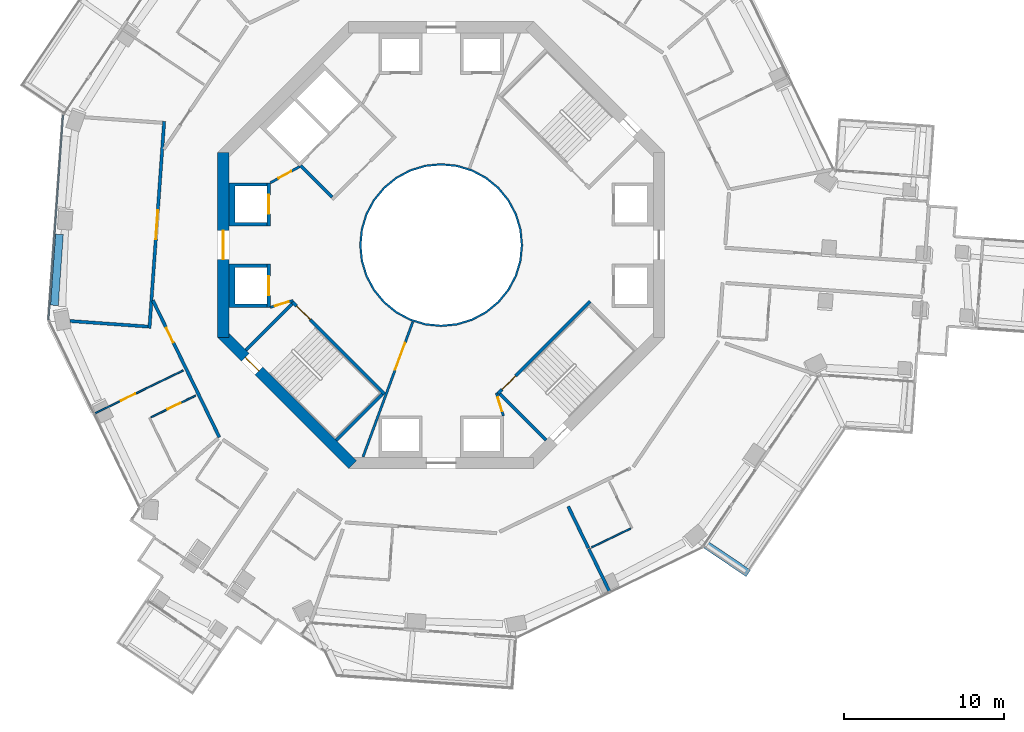
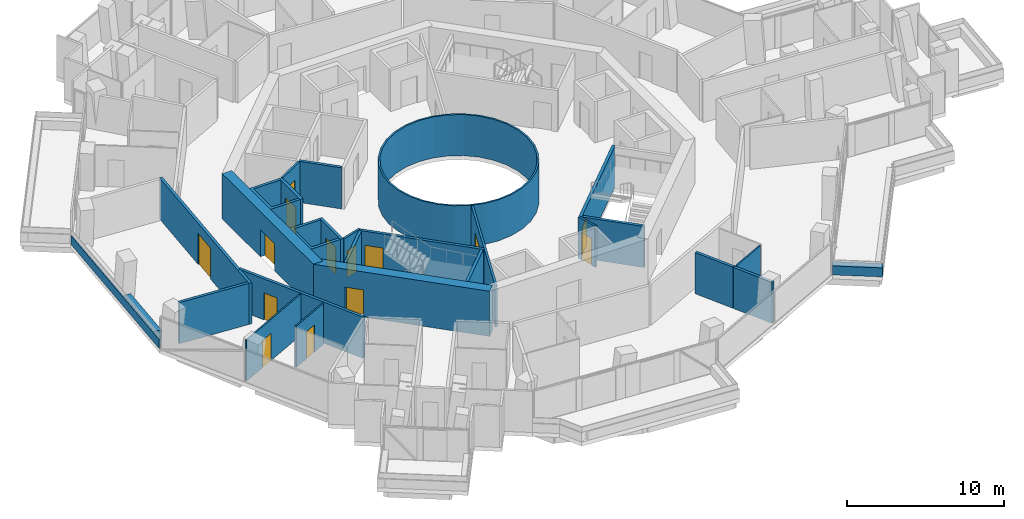
# One storey, part 15 of 22: 28 walls, 14 doors, 14 openings.
"""IFC4 building model written with IfcOpenShell, lengths in metres."""

from ifc_helpers import new_model, si_unit, direction, frame, frame_2d, origin, place, context, subcontext, project, spatial, polyline, rectangle, outline, extrude, material, layer, layer_set, type_object, element, fill, save


model = new_model("IFC4")

# Units and contexts
model_context = context("Model", 3, precision=1e-05, world=origin(), true_north=direction((0.0, 1.0)))
body_context = subcontext(model_context, "Body", "Model", "MODEL_VIEW")
ifc_project = project(units=[si_unit("LENGTHUNIT", "METRE"), si_unit("AREAUNIT", "SQUARE_METRE"), si_unit("VOLUMEUNIT", "CUBIC_METRE"), si_unit("PLANEANGLEUNIT", "RADIAN"), si_unit("MASSUNIT", "GRAM", prefix="KILO")], contexts=[model_context])

# Site, building, storey
site_placement = place(None, origin())
site = spatial("IfcSite", under=ifc_project, at=site_placement, CompositionType="ELEMENT")
building_placement = place(site_placement, origin())
building = spatial("IfcBuilding", under=site, at=building_placement, Name="Verdalira Terraces Hotel", CompositionType="ELEMENT")
storey_placement = place(building_placement, frame((0.0, 0.0, 140.0)))
storey = spatial("IfcBuildingStorey", under=building, at=storey_placement, Name="L33", CompositionType="ELEMENT", Elevation=140.0)

# Walls
ifc_material_1 = material(Name="Fire-resisting glass EI 180", Category="glass")
ifc_layer_1 = layer(ifc_material_1, 0.1201171875)
ifc_layer_set_1 = layer_set([ifc_layer_1], Name="Atrium fire screen 120 mm")
wall_type_1 = type_object("IfcWallType", Name="Atrium fire screen 120 mm", PredefinedType="SOLIDWALL", material=ifc_layer_set_1)
wall_1_placement = place(storey_placement, origin())
element("IfcWall", 1, at=wall_1_placement, inside=storey, type_object=wall_type_1, Name="Atrium fire screen", PredefinedType="SOLIDWALL", context=body_context, shape_type="SweptSolid", body=[
    extrude(outline(polyline([(5.021484, -0.998779), (4.730225, -1.959229), (4.25708, -2.844482), (3.620361, -3.620361), (2.844482, -4.25708), (1.959229, -4.730225), (0.998779, -5.021484), (0.0, -5.120117), (-0.998779, -5.021484), (-1.959229, -4.730225), (-2.844482, -4.25708), (-3.620361, -3.620361), (-4.25708, -2.844482), (-4.730225, -1.959229), (-5.021484, -0.998779), (-5.120117, 0.0), (-5.021484, 0.998779), (-4.730225, 1.959229), (-4.25708, 2.844482), (-3.620361, 3.620361), (-2.844482, 4.25708), (-1.959229, 4.730225), (-0.998779, 5.021484), (0.0, 5.120117), (0.998779, 5.021484), (1.959229, 4.730225), (2.844482, 4.25708), (3.620361, 3.620361), (4.25708, 2.844482), (4.730225, 1.959229), (5.021484, 0.998779), (5.120117, 0.0), (5.021484, -0.998779)]), holes=[polyline([(4.903809, 0.975586), (4.619385, 1.91333), (4.157227, 2.777832), (3.5354, 3.5354), (2.777832, 4.157227), (1.91333, 4.619385), (0.975586, 4.903809), (0.0, 5.0), (-0.975586, 4.903809), (-1.91333, 4.619385), (-2.777832, 4.157227), (-3.5354, 3.5354), (-4.157227, 2.777832), (-4.619385, 1.91333), (-4.903809, 0.975586), (-5.0, 0.0), (-4.903809, -0.975586), (-4.619385, -1.91333), (-4.157227, -2.777832), (-3.5354, -3.5354), (-2.777832, -4.157227), (-1.91333, -4.619385), (-0.975586, -4.903809), (0.0, -5.0), (0.975586, -4.903809), (1.91333, -4.619385), (2.777832, -4.157227), (3.5354, -3.5354), (4.157227, -2.777832), (4.619385, -1.91333), (4.903809, -0.975586), (5.0, 0.0), (4.903809, 0.975586)])]), origin(), (0.0, 0.0, 1.0), 3.189941),
])
ifc_material_2 = material(Name="Concrete C40", Category="concrete")
ifc_layer_2 = layer(ifc_material_2, 0.5)
ifc_layer_set_2 = layer_set([ifc_layer_2], Name="Balcony planter trough with tree")
wall_type_2 = type_object("IfcWallType", Name="Balcony planter trough with tree", PredefinedType="SOLIDWALL", material=ifc_layer_set_2)
wall_2_placement = place(storey_placement, frame((16.59082, -18.770264, 0.0), z_axis=(0.0, 0.0, 1.0), x_axis=(0.828214652, -0.560411001, 0.0)))
element("IfcWall", 2, at=wall_2_placement, inside=storey, type_object=wall_type_2, Name="Balcony planter", PredefinedType="SOLIDWALL", context=body_context, shape_type="SweptSolid", body=[
    extrude(rectangle(XDim=3.198975, YDim=0.5, at=frame_2d((1.599609, 0.0))), origin(), (0.0, 0.0, 1.0), 0.699951),
])

# Wall, opening, door
ifc_material_3 = material(Name="Moisture-resistant gypsum board partition")
ifc_layer_3 = layer(ifc_material_3, 0.10009765625)
ifc_layer_set_3 = layer_set([ifc_layer_3], Name="Bathroom partition 100 mm")
wall_type_3 = type_object("IfcWallType", Name="Bathroom partition 100 mm", PredefinedType="PARTITIONING", material=ifc_layer_set_3)
wall_3_placement = place(storey_placement, frame((-16.151855, -7.849854, 0.0), z_axis=(0.0, 0.0, 1.0), x_axis=(-0.899404273, -0.437117781, 0.0)))
wall_3 = element("IfcWall", 3, at=wall_3_placement, inside=storey, type_object=wall_type_3, Name="Bathroom partition", PredefinedType="PARTITIONING", context=body_context, shape_type="SweptSolid", body=[
    extrude(rectangle(XDim=6.149902, YDim=0.100098, at=frame_2d((3.074951, 0.0))), origin(), (0.0, 0.0, 1.0), 3.189941),
])
opening_1_placement = place(wall_3_placement, frame((3.350098, 0.0, 0.0)))
opening_1 = element("IfcOpeningElement", 4, at=opening_1_placement, cuts=wall_3, Name="Opening L33-110", PredefinedType="OPENING", context=body_context, shape_type="SweptSolid", body=[
    extrude(rectangle(XDim=1.0, YDim=2.100098, at=frame_2d((0.5, 1.050049))), frame((0.0, 0.060059, 0.0), z_axis=(0.0, -1.0, 0.0), x_axis=(1.0, 0.0, 0.0)), (0.0, 0.0, 1.0), 0.120117),
])
ifc_material_4 = material(Name="Timber door", Category="wood")
door_type_1 = type_object("IfcDoorType", Name="Suite internal door 1000 x 2100", OperationType="NOTDEFINED", PredefinedType="DOOR", material=ifc_material_4)
door_1_placement = place(opening_1_placement, origin())
door_1 = element("IfcDoor", 5, at=door_1_placement, inside=storey, type_object=door_type_1, Name="Suite internal door 3304", OperationType="SINGLE_SWING_LEFT", OverallHeight=2.10009765625, OverallWidth=1.0, PredefinedType="DOOR", context=body_context, shape_type="SweptSolid", body=[
    extrude(rectangle(XDim=1.0, YDim=2.100098, at=frame_2d((0.5, 1.050049))), frame((0.0, 0.024902, 0.0), z_axis=(0.0, -1.0, 0.0), x_axis=(1.0, 0.0, 0.0)), (0.0, 0.0, 1.0), 0.050049),
])
fill(opening_1, door_1)

wall_4_placement = place(storey_placement, frame((-15.383301, -9.431396, 0.0), z_axis=(0.0, 0.0, 1.0), x_axis=(-0.89941086, -0.437104227, 0.0)))
wall_4 = element("IfcWall", 6, at=wall_4_placement, inside=storey, type_object=wall_type_3, Name="Bathroom partition", PredefinedType="PARTITIONING", context=body_context, shape_type="SweptSolid", body=[
    extrude(rectangle(XDim=3.099854, YDim=0.100098, at=frame_2d((1.549805, 0.0))), origin(), (0.0, 0.0, 1.0), 3.189941),
])
opening_2_placement = place(wall_4_placement, frame((1.050049, 0.0, 0.0)))
opening_2 = element("IfcOpeningElement", 7, at=opening_2_placement, cuts=wall_4, Name="Opening L33-111", PredefinedType="OPENING", context=body_context, shape_type="SweptSolid", body=[
    extrude(rectangle(XDim=0.899902, YDim=2.100098, at=frame_2d((0.449951, 1.050049))), frame((0.0, 0.060059, 0.0), z_axis=(0.0, -1.0, 0.0), x_axis=(1.0, 0.0, 0.0)), (0.0, 0.0, 1.0), 0.120117),
])
ifc_material_5 = material(Name="Timber door", Category="wood")
door_type_2 = type_object("IfcDoorType", Name="Bathroom door 900 x 2100", OperationType="NOTDEFINED", PredefinedType="DOOR", material=ifc_material_5)
door_2_placement = place(opening_2_placement, origin())
door_2 = element("IfcDoor", 8, at=door_2_placement, inside=storey, type_object=door_type_2, Name="Bathroom door 3304", OperationType="SINGLE_SWING_RIGHT", OverallHeight=2.10009765625, OverallWidth=0.89990234375, PredefinedType="DOOR", context=body_context, shape_type="SweptSolid", body=[
    extrude(rectangle(XDim=0.899902, YDim=2.100098, at=frame_2d((0.449951, 1.050049))), frame((0.0, 0.024902, 0.0), z_axis=(0.0, -1.0, 0.0), x_axis=(1.0, 0.0, 0.0)), (0.0, 0.0, 1.0), 0.050049),
])
fill(opening_2, door_2)

# Walls
wall_5_placement = place(storey_placement, frame((11.856934, -17.762207, 0.0), z_axis=(0.0, 0.0, 1.0), x_axis=(-0.899415747, -0.437094171, 0.0)))
element("IfcWall", 9, at=wall_5_placement, inside=storey, type_object=wall_type_3, Name="Bathroom partition", PredefinedType="PARTITIONING", context=body_context, shape_type="SweptSolid", body=[
    extrude(rectangle(XDim=2.699951, YDim=0.100098, at=frame_2d((1.350098, 0.0))), origin(), (0.0, 0.0, 1.0), 3.189941),
])
ifc_material_6 = material(Name="Concrete C50", Category="concrete")
ifc_layer_4 = layer(ifc_material_6, 0.199951171875)
ifc_layer_set_4 = layer_set([ifc_layer_4], Name="Core RC wall 200 C50")
wall_type_4 = type_object("IfcWallType", Name="Core RC wall 200 C50", PredefinedType="SOLIDWALL", material=ifc_layer_set_4)
wall_6_placement = place(storey_placement, origin())
element("IfcWall", 10, at=wall_6_placement, inside=storey, type_object=wall_type_4, Name="L33 shaft wall W1", PredefinedType="SOLIDWALL", context=body_context, shape_type="SweptSolid", body=[
    extrude(outline(polyline([(-13.300049, 3.899902), (-10.899902, 3.899902), (-10.899902, 3.699951), (-12.899902, 3.699951), (-12.899902, 1.399902), (-10.899902, 1.399902), (-10.899902, 1.199951), (-13.300049, 1.199951), (-13.300049, 3.899902)])), origin(), (0.0, 0.0, 1.0), 3.189941),
])

# Wall, opening, door
wall_7_placement = place(storey_placement, frame((-10.800049, 1.199951, 0.0), z_axis=(0.0, 0.0, 1.0), x_axis=(0.0, 1.0, 0.0)))
wall_7 = element("IfcWall", 11, at=wall_7_placement, inside=storey, type_object=wall_type_4, Name="L33 shaft front wall W1", PredefinedType="SOLIDWALL", context=body_context, shape_type="SweptSolid", body=[
    extrude(rectangle(XDim=2.699951, YDim=0.199951, at=frame_2d((1.350098, 0.0))), origin(), (0.0, 0.0, 1.0), 3.189941),
])
opening_3_placement = place(wall_7_placement, frame((0.75, 0.0, 0.0)))
opening_3 = element("IfcOpeningElement", 12, at=opening_3_placement, cuts=wall_7, Name="Opening LD-L33-805", PredefinedType="OPENING", context=body_context, shape_type="SweptSolid", body=[
    extrude(rectangle(XDim=1.199951, YDim=2.100098, at=frame_2d((0.600098, 1.050049))), frame((0.0, 0.109863, 0.0), z_axis=(0.0, -1.0, 0.0), x_axis=(1.0, 0.0, 0.0)), (0.0, 0.0, 1.0), 0.219971),
])
ifc_material_7 = material(Name="Stainless steel", Category="steel")
door_type_3 = type_object("IfcDoorType", Name="Landing door 1200 x 2100", OperationType="NOTDEFINED", PredefinedType="DOOR", material=ifc_material_7)
door_3_placement = place(opening_3_placement, origin())
door_3 = element("IfcDoor", 13, at=door_3_placement, inside=storey, type_object=door_type_3, Name="Lift landing door LR5 L33", OperationType="DOUBLE_DOOR_SLIDING", OverallHeight=2.10009765625, OverallWidth=1.199951171875, PredefinedType="DOOR", context=body_context, shape_type="SweptSolid", body=[
    extrude(rectangle(XDim=1.199951, YDim=2.100098, at=frame_2d((0.600098, 1.050049))), frame((0.0, 0.024902, 0.0), z_axis=(0.0, -1.0, 0.0), x_axis=(1.0, 0.0, 0.0)), (0.0, 0.0, 1.0), 0.050049),
])
fill(opening_3, door_3)

# Wall
wall_8_placement = place(storey_placement, origin())
element("IfcWall", 14, at=wall_8_placement, inside=storey, type_object=wall_type_4, Name="L33 shaft wall W2", PredefinedType="SOLIDWALL", context=body_context, shape_type="SweptSolid", body=[
    extrude(outline(polyline([(-13.300049, -3.899902), (-13.300049, -1.199951), (-10.899902, -1.199951), (-10.899902, -1.399902), (-12.899902, -1.399902), (-12.899902, -3.699951), (-10.899902, -3.699951), (-10.899902, -3.899902), (-13.300049, -3.899902)])), origin(), (0.0, 0.0, 1.0), 3.189941),
])

# Wall, opening, door
wall_9_placement = place(storey_placement, frame((-10.800049, -1.199951, 0.0), z_axis=(0.0, 0.0, 1.0), x_axis=(0.0, -1.0, 0.0)))
wall_9 = element("IfcWall", 15, at=wall_9_placement, inside=storey, type_object=wall_type_4, Name="L33 shaft front wall W2", PredefinedType="SOLIDWALL", context=body_context, shape_type="SweptSolid", body=[
    extrude(rectangle(XDim=2.699951, YDim=0.199951, at=frame_2d((1.350098, 0.0))), origin(), (0.0, 0.0, 1.0), 3.189941),
])
opening_4_placement = place(wall_9_placement, frame((0.75, 0.0, 0.0)))
opening_4 = element("IfcOpeningElement", 16, at=opening_4_placement, cuts=wall_9, Name="Opening LD-L33-806", PredefinedType="OPENING", context=body_context, shape_type="SweptSolid", body=[
    extrude(rectangle(XDim=1.199951, YDim=2.100098, at=frame_2d((0.600098, 1.050049))), frame((0.0, 0.109863, 0.0), z_axis=(0.0, -1.0, 0.0), x_axis=(1.0, 0.0, 0.0)), (0.0, 0.0, 1.0), 0.219971),
])
door_4_placement = place(opening_4_placement, origin())
door_4 = element("IfcDoor", 17, at=door_4_placement, inside=storey, type_object=door_type_3, Name="Lift landing door LR6 L33", OperationType="DOUBLE_DOOR_SLIDING", OverallHeight=2.10009765625, OverallWidth=1.199951171875, PredefinedType="DOOR", context=body_context, shape_type="SweptSolid", body=[
    extrude(rectangle(XDim=1.199951, YDim=2.100098, at=frame_2d((0.600098, 1.050049))), frame((0.0, 0.024902, 0.0), z_axis=(0.0, -1.0, 0.0), x_axis=(1.0, 0.0, 0.0)), (0.0, 0.0, 1.0), 0.050049),
])
fill(opening_4, door_4)

wall_10_placement = place(storey_placement, frame((-3.5354, -9.33374, 0.0), z_axis=(0.0, 0.0, 1.0), x_axis=(-0.707106781, 0.707106781, 0.0)))
wall_10 = element("IfcWall", 18, at=wall_10_placement, inside=storey, type_object=wall_type_4, Name="L33 stair ST2 front wall", PredefinedType="SOLIDWALL", context=body_context, shape_type="SweptSolid", body=[
    extrude(rectangle(XDim=8.200195, YDim=0.199951, at=frame_2d((4.100098, 0.0))), origin(), (0.0, 0.0, 1.0), 3.189941),
])
opening_5_placement = place(wall_10_placement, frame((6.600098, 0.0, 0.0)))
opening_5 = element("IfcOpeningElement", 19, at=opening_5_placement, cuts=wall_10, Name="Opening L33-810", PredefinedType="OPENING", context=body_context, shape_type="SweptSolid", body=[
    extrude(rectangle(XDim=1.199951, YDim=2.100098, at=frame_2d((0.600098, 1.050049))), frame((0.0, 0.109863, 0.0), z_axis=(0.0, -1.0, 0.0), x_axis=(1.0, 0.0, 0.0)), (0.0, 0.0, 1.0), 0.219971),
])
ifc_material_8 = material(Name="Steel fire door", Category="steel")
door_type_4 = type_object("IfcDoorType", Name="Stair door 1200 x 2100", OperationType="NOTDEFINED", PredefinedType="DOOR", material=ifc_material_8)
door_5_placement = place(opening_5_placement, origin())
door_5 = element("IfcDoor", 20, at=door_5_placement, inside=storey, type_object=door_type_4, Name="Stair door ST2 L33", OperationType="SINGLE_SWING_RIGHT", OverallHeight=2.10009765625, OverallWidth=1.199951171875, PredefinedType="DOOR", context=body_context, shape_type="SweptSolid", body=[
    extrude(rectangle(XDim=1.199951, YDim=2.100098, at=frame_2d((0.600098, 1.050049))), frame((0.0, 0.024902, 0.0), z_axis=(0.0, -1.0, 0.0), x_axis=(1.0, 0.0, 0.0)), (0.0, 0.0, 1.0), 0.050049),
])
fill(opening_5, door_5)

# Walls
for number, where, z_axis, x_axis, name in (
    (21, (-9.33374, -3.677002, 0.0), (0.0, 0.0, 1.0), (-0.707106781, -0.707106781, 0.0), "L33 stair ST2 end wall 1"),
    (22, (-3.677002, -9.33374, 0.0), (0.0, 0.0, 1.0), (-0.707106781, -0.707106781, 0.0), "L33 stair ST2 end wall 2"),
):
    element("IfcWall", number, at=place(storey_placement, frame(where, z_axis=z_axis, x_axis=x_axis)), inside=storey, type_object=wall_type_4, Name=name, PredefinedType="SOLIDWALL", context=body_context, shape_type="SweptSolid", body=[
        extrude(rectangle(XDim=4.100098, YDim=0.199951, at=frame_2d((2.050049, 0.0))), origin(), (0.0, 0.0, 1.0), 3.189941),
    ])

# Wall, opening, door
wall_11_placement = place(storey_placement, frame((9.33374, -3.5354, 0.0), z_axis=(0.0, 0.0, 1.0), x_axis=(-0.707106781, -0.707106781, 0.0)))
wall_11 = element("IfcWall", 23, at=wall_11_placement, inside=storey, type_object=wall_type_4, Name="L33 stair ST3 front wall", PredefinedType="SOLIDWALL", context=body_context, shape_type="SweptSolid", body=[
    extrude(rectangle(XDim=8.200195, YDim=0.199951, at=frame_2d((4.100098, 0.0))), origin(), (0.0, 0.0, 1.0), 3.189941),
])
opening_6_placement = place(wall_11_placement, frame((6.600098, 0.0, 0.0)))
opening_6 = element("IfcOpeningElement", 24, at=opening_6_placement, cuts=wall_11, Name="Opening L33-811", PredefinedType="OPENING", context=body_context, shape_type="SweptSolid", body=[
    extrude(rectangle(XDim=1.199951, YDim=2.100098, at=frame_2d((0.600098, 1.050049))), frame((0.0, 0.109863, 0.0), z_axis=(0.0, -1.0, 0.0), x_axis=(1.0, 0.0, 0.0)), (0.0, 0.0, 1.0), 0.219971),
])
door_6_placement = place(opening_6_placement, origin())
door_6 = element("IfcDoor", 25, at=door_6_placement, inside=storey, type_object=door_type_4, Name="Stair door ST3 L33", OperationType="SINGLE_SWING_RIGHT", OverallHeight=2.10009765625, OverallWidth=1.199951171875, PredefinedType="DOOR", context=body_context, shape_type="SweptSolid", body=[
    extrude(rectangle(XDim=1.199951, YDim=2.100098, at=frame_2d((0.600098, 1.050049))), frame((0.0, 0.024902, 0.0), z_axis=(0.0, -1.0, 0.0), x_axis=(1.0, 0.0, 0.0)), (0.0, 0.0, 1.0), 0.050049),
])
fill(opening_6, door_6)

# Walls
wall_12_placement = place(storey_placement, frame((3.677002, -9.33374, 0.0), z_axis=(0.0, 0.0, 1.0), x_axis=(0.707106781, -0.707106781, 0.0)))
element("IfcWall", 26, at=wall_12_placement, inside=storey, type_object=wall_type_4, Name="L33 stair ST3 end wall 1", PredefinedType="SOLIDWALL", context=body_context, shape_type="SweptSolid", body=[
    extrude(rectangle(XDim=4.100098, YDim=0.199951, at=frame_2d((2.050049, 0.0))), origin(), (0.0, 0.0, 1.0), 3.189941),
])
wall_13_placement = place(storey_placement, frame((-6.823486, 3.005127, 0.0), z_axis=(0.0, 0.0, 1.0), x_axis=(-0.707106781, 0.707106781, 0.0)))
element("IfcWall", 27, at=wall_13_placement, inside=storey, type_object=wall_type_4, Name="L33 fire lobby wall", PredefinedType="SOLIDWALL", context=body_context, shape_type="SweptSolid", body=[
    extrude(rectangle(XDim=2.800049, YDim=0.199951, at=frame_2d((1.399902, 0.0))), origin(), (0.0, 0.0, 1.0), 3.189941),
])

# Wall, opening, door
ifc_material_9 = material(Name="Gypsum board partition")
ifc_layer_5 = layer(ifc_material_9, 0.14990234375)
ifc_layer_set_5 = layer_set([ifc_layer_5], Name="Core partition 150 mm")
wall_type_5 = type_object("IfcWallType", Name="Core partition 150 mm", PredefinedType="PARTITIONING", material=ifc_layer_set_5)
wall_14_placement = place(storey_placement, frame((-8.874268, 4.914307, 0.0), z_axis=(0.0, 0.0, 1.0), x_axis=(-0.874129705, -0.485692555, 0.0)))
wall_14 = element("IfcWall", 28, at=wall_14_placement, inside=storey, type_object=wall_type_5, Name="Room partition L33", PredefinedType="PARTITIONING", context=body_context, shape_type="SweptSolid", body=[
    extrude(rectangle(XDim=2.088623, YDim=0.149902, at=frame_2d((1.044434, 0.0))), origin(), (0.0, 0.0, 1.0), 3.189941),
])
opening_7_placement = place(wall_14_placement, frame((0.594238, 0.0, 0.0)))
opening_7 = element("IfcOpeningElement", 29, at=opening_7_placement, cuts=wall_14, Name="Opening L33-821", PredefinedType="OPENING", context=body_context, shape_type="SweptSolid", body=[
    extrude(rectangle(XDim=0.899902, YDim=2.100098, at=frame_2d((0.449951, 1.050049))), frame((0.0, 0.084961, 0.0), z_axis=(0.0, -1.0, 0.0), x_axis=(1.0, 0.0, 0.0)), (0.0, 0.0, 1.0), 0.169922),
])
ifc_material_10 = material(Name="Steel fire door", Category="steel")
door_type_5 = type_object("IfcDoorType", Name="Core room door 900 x 2100", OperationType="NOTDEFINED", PredefinedType="DOOR", material=ifc_material_10)
door_7_placement = place(opening_7_placement, origin())
door_7 = element("IfcDoor", 30, at=door_7_placement, inside=storey, type_object=door_type_5, Name="Door L33 room3", OperationType="SINGLE_SWING_LEFT", OverallHeight=2.10009765625, OverallWidth=0.89990234375, PredefinedType="DOOR", context=body_context, shape_type="SweptSolid", body=[
    extrude(rectangle(XDim=0.899902, YDim=2.100098, at=frame_2d((0.449951, 1.050049))), frame((0.0, 0.024902, 0.0), z_axis=(0.0, -1.0, 0.0), x_axis=(1.0, 0.0, 0.0)), (0.0, 0.0, 1.0), 0.050049),
])
fill(opening_7, door_7)

wall_15_placement = place(storey_placement, frame((-10.699951, -3.899902, 0.0), z_axis=(0.0, 0.0, 1.0), x_axis=(0.957084567, 0.289808785, 0.0)))
wall_15 = element("IfcWall", 31, at=wall_15_placement, inside=storey, type_object=wall_type_5, Name="Room partition L33", PredefinedType="PARTITIONING", context=body_context, shape_type="SweptSolid", body=[
    extrude(rectangle(XDim=1.501221, YDim=0.149902, at=frame_2d((0.750488, 0.0))), origin(), (0.0, 0.0, 1.0), 3.189941),
])
opening_8_placement = place(wall_15_placement, frame((0.300781, 0.0, 0.0)))
opening_8 = element("IfcOpeningElement", 32, at=opening_8_placement, cuts=wall_15, Name="Opening L33-822", PredefinedType="OPENING", context=body_context, shape_type="SweptSolid", body=[
    extrude(rectangle(XDim=0.899902, YDim=2.100098, at=frame_2d((0.449951, 1.050049))), frame((0.0, 0.084961, 0.0), z_axis=(0.0, -1.0, 0.0), x_axis=(1.0, 0.0, 0.0)), (0.0, 0.0, 1.0), 0.169922),
])
door_8_placement = place(opening_8_placement, origin())
door_8 = element("IfcDoor", 33, at=door_8_placement, inside=storey, type_object=door_type_5, Name="Door L33 room4", OperationType="SINGLE_SWING_LEFT", OverallHeight=2.10009765625, OverallWidth=0.89990234375, PredefinedType="DOOR", context=body_context, shape_type="SweptSolid", body=[
    extrude(rectangle(XDim=0.899902, YDim=2.100098, at=frame_2d((0.449951, 1.050049))), frame((0.0, 0.024902, 0.0), z_axis=(0.0, -1.0, 0.0), x_axis=(1.0, 0.0, 0.0)), (0.0, 0.0, 1.0), 0.050049),
])
fill(opening_8, door_8)

wall_16_placement = place(storey_placement, frame((3.899902, -10.699951, 0.0), z_axis=(0.0, 0.0, 1.0), x_axis=(-0.289808785, 0.957084567, 0.0)))
wall_16 = element("IfcWall", 34, at=wall_16_placement, inside=storey, type_object=wall_type_5, Name="Room partition L33", PredefinedType="PARTITIONING", context=body_context, shape_type="SweptSolid", body=[
    extrude(rectangle(XDim=1.501221, YDim=0.149902, at=frame_2d((0.750488, 0.0))), origin(), (0.0, 0.0, 1.0), 3.189941),
])
opening_9_placement = place(wall_16_placement, frame((0.300781, 0.0, 0.0)))
opening_9 = element("IfcOpeningElement", 35, at=opening_9_placement, cuts=wall_16, Name="Opening L33-823", PredefinedType="OPENING", context=body_context, shape_type="SweptSolid", body=[
    extrude(rectangle(XDim=0.899902, YDim=2.100098, at=frame_2d((0.449951, 1.050049))), frame((0.0, 0.084961, 0.0), z_axis=(0.0, -1.0, 0.0), x_axis=(1.0, 0.0, 0.0)), (0.0, 0.0, 1.0), 0.169922),
])
door_9_placement = place(opening_9_placement, origin())
door_9 = element("IfcDoor", 36, at=door_9_placement, inside=storey, type_object=door_type_5, Name="Door L33 room6", OperationType="SINGLE_SWING_LEFT", OverallHeight=2.10009765625, OverallWidth=0.89990234375, PredefinedType="DOOR", context=body_context, shape_type="SweptSolid", body=[
    extrude(rectangle(XDim=0.899902, YDim=2.100098, at=frame_2d((0.449951, 1.050049))), frame((0.0, 0.024902, 0.0), z_axis=(0.0, -1.0, 0.0), x_axis=(1.0, 0.0, 0.0)), (0.0, 0.0, 1.0), 0.050049),
])
fill(opening_9, door_9)

wall_17_placement = place(storey_placement, frame((-1.775635, -4.812988, 0.0), z_axis=(0.0, 0.0, 1.0), x_axis=(-0.346109381, -0.938194168, 0.0)))
wall_17 = element("IfcWall", 37, at=wall_17_placement, inside=storey, type_object=wall_type_5, Name="Gallery fire partition L33", PredefinedType="PARTITIONING", context=body_context, shape_type="SweptSolid", body=[
    extrude(rectangle(XDim=9.016357, YDim=0.149902, at=frame_2d((4.508301, 0.0))), origin(), (0.0, 0.0, 1.0), 3.189941),
])
opening_10_placement = place(wall_17_placement, frame((1.399902, 0.0, 0.0)))
opening_10 = element("IfcOpeningElement", 38, at=opening_10_placement, cuts=wall_17, Name="Opening L33-825", PredefinedType="OPENING", context=body_context, shape_type="SweptSolid", body=[
    extrude(rectangle(XDim=1.800049, YDim=2.100098, at=frame_2d((0.899902, 1.050049))), frame((0.0, 0.084961, 0.0), z_axis=(0.0, -1.0, 0.0), x_axis=(1.0, 0.0, 0.0)), (0.0, 0.0, 1.0), 0.169922),
])
ifc_material_11 = material(Name="Steel fire door", Category="steel")
door_type_6 = type_object("IfcDoorType", Name="Gallery fire door pair 1800 x 2100", OperationType="NOTDEFINED", PredefinedType="DOOR", material=ifc_material_11)
door_10_placement = place(opening_10_placement, origin())
door_10 = element("IfcDoor", 39, at=door_10_placement, inside=storey, type_object=door_type_6, Name="Door L33 split5", OperationType="DOUBLE_DOOR_SINGLE_SWING", OverallHeight=2.10009765625, OverallWidth=1.800048828125, PredefinedType="DOOR", context=body_context, shape_type="SweptSolid", body=[
    extrude(rectangle(XDim=1.800049, YDim=2.100098, at=frame_2d((0.899902, 1.050049))), frame((0.0, 0.024902, 0.0), z_axis=(0.0, -1.0, 0.0), x_axis=(1.0, 0.0, 0.0)), (0.0, 0.0, 1.0), 0.050049),
])
fill(opening_10, door_10)

ifc_material_12 = material(Name="Concrete C60", Category="concrete")
ifc_layer_6 = layer(ifc_material_12, 0.699951171875)
ifc_layer_set_6 = layer_set([ifc_layer_6], Name="Core wall 700 C60")
wall_type_6 = type_object("IfcWallType", Name="Core wall 700 C60", PredefinedType="SHEAR", material=ifc_layer_set_6)
wall_18_placement = place(storey_placement, frame((-13.649902, 5.799072, 0.0), z_axis=(0.0, 0.0, 1.0), x_axis=(0.0, -1.0, 0.0)))
wall_18 = element("IfcWall", 40, at=wall_18_placement, inside=storey, type_object=wall_type_6, Name="Core wall CW-L33-5", PredefinedType="SHEAR", context=body_context, shape_type="SweptSolid", body=[
    extrude(rectangle(XDim=11.598145, YDim=0.699951, at=frame_2d((5.799072, 0.0))), origin(), (0.0, 0.0, 1.0), 3.5),
])
opening_11_placement = place(wall_18_placement, frame((4.898926, 0.0, 0.0)))
opening_11 = element("IfcOpeningElement", 41, at=opening_11_placement, cuts=wall_18, Name="Opening L33-814", PredefinedType="OPENING", context=body_context, shape_type="SweptSolid", body=[
    extrude(rectangle(XDim=1.800049, YDim=2.100098, at=frame_2d((0.899902, 1.050049))), frame((0.0, 0.359863, 0.0), z_axis=(0.0, -1.0, 0.0), x_axis=(1.0, 0.0, 0.0)), (0.0, 0.0, 1.0), 0.719971),
])
ifc_material_13 = material(Name="Steel fire door", Category="steel")
door_type_7 = type_object("IfcDoorType", Name="Core entry door pair 1800 x 2100", OperationType="NOTDEFINED", PredefinedType="DOOR", material=ifc_material_13)
door_11_placement = place(opening_11_placement, origin())
door_11 = element("IfcDoor", 42, at=door_11_placement, inside=storey, type_object=door_type_7, Name="Core entry door L33 4", OperationType="DOUBLE_DOOR_SINGLE_SWING", OverallHeight=2.10009765625, OverallWidth=1.800048828125, PredefinedType="DOOR", context=body_context, shape_type="SweptSolid", body=[
    extrude(rectangle(XDim=1.800049, YDim=2.100098, at=frame_2d((0.899902, 1.050049))), frame((0.0, 0.024902, 0.0), z_axis=(0.0, -1.0, 0.0), x_axis=(1.0, 0.0, 0.0)), (0.0, 0.0, 1.0), 0.050049),
])
fill(opening_11, door_11)

wall_19_placement = place(storey_placement, frame((-13.752441, -5.551514, 0.0), z_axis=(0.0, 0.0, 1.0), x_axis=(0.707106781, -0.707106781, 0.0)))
wall_19 = element("IfcWall", 43, at=wall_19_placement, inside=storey, type_object=wall_type_6, Name="Core wall CW-L33-6", PredefinedType="SHEAR", context=body_context, shape_type="SweptSolid", body=[
    extrude(rectangle(XDim=11.5979, YDim=0.699951, at=frame_2d((5.798828, 0.0))), origin(), (0.0, 0.0, 1.0), 3.5),
])
opening_12_placement = place(wall_19_placement, frame((2.099121, 0.0, 0.0)))
opening_12 = element("IfcOpeningElement", 44, at=opening_12_placement, cuts=wall_19, Name="Opening L33-817", PredefinedType="OPENING", context=body_context, shape_type="SweptSolid", body=[
    extrude(rectangle(XDim=1.199951, YDim=2.100098, at=frame_2d((0.600098, 1.050049))), frame((0.0, 0.359863, 0.0), z_axis=(0.0, -1.0, 0.0), x_axis=(1.0, 0.0, 0.0)), (0.0, 0.0, 1.0), 0.719971),
])
door_12_placement = place(opening_12_placement, origin())
door_12 = element("IfcDoor", 45, at=door_12_placement, inside=storey, type_object=door_type_4, Name="Stair exit door ST2 L33", OperationType="SINGLE_SWING_LEFT", OverallHeight=2.10009765625, OverallWidth=1.199951171875, PredefinedType="DOOR", context=body_context, shape_type="SweptSolid", body=[
    extrude(rectangle(XDim=1.199951, YDim=2.100098, at=frame_2d((0.600098, 1.050049))), frame((0.0, 0.024902, 0.0), z_axis=(0.0, -1.0, 0.0), x_axis=(1.0, 0.0, 0.0)), (0.0, 0.0, 1.0), 0.050049),
])
fill(opening_12, door_12)

# Walls
ifc_material_14 = material(Name="Fire-rated gypsum board wall")
ifc_layer_7 = layer(ifc_material_14, 0.199951171875)
ifc_layer_set_7 = layer_set([ifc_layer_7], Name="Demising wall 200 mm")
wall_type_7 = type_object("IfcWallType", Name="Demising wall 200 mm", PredefinedType="SOLIDWALL", material=ifc_layer_set_7)
wall_20_placement = place(storey_placement, frame((7.958008, -16.374268, 0.0), z_axis=(0.0, 0.0, 1.0), x_axis=(0.437133221, -0.899396769, 0.0)))
element("IfcWall", 46, at=wall_20_placement, inside=storey, type_object=wall_type_7, Name="Demising wall", PredefinedType="SOLIDWALL", context=body_context, shape_type="SweptSolid", body=[
    extrude(rectangle(XDim=2.904785, YDim=0.199951, at=frame_2d((1.452393, 0.0))), origin(), (0.0, 0.0, 1.0), 3.189941),
])
wall_21_placement = place(storey_placement, frame((9.247803, -19.028076, 0.0), z_axis=(0.0, 0.0, 1.0), x_axis=(0.437095146, -0.899415273, 0.0)))
element("IfcWall", 47, at=wall_21_placement, inside=storey, type_object=wall_type_7, Name="Demising wall", PredefinedType="SOLIDWALL", context=body_context, shape_type="SweptSolid", body=[
    extrude(rectangle(XDim=2.951904, YDim=0.199951, at=frame_2d((1.476074, 0.0))), origin(), (0.0, 0.0, 1.0), 3.189941),
])

# Wall, opening, door
ifc_material_15 = material(Name="Fire-rated gypsum board wall")
ifc_layer_8 = layer(ifc_material_15, 0.199951171875)
ifc_layer_set_8 = layer_set([ifc_layer_8], Name="Guest corridor wall 200 mm")
wall_type_8 = type_object("IfcWallType", Name="Guest corridor wall 200 mm", PredefinedType="SOLIDWALL", material=ifc_layer_set_8)
wall_22_placement = place(storey_placement, frame((-13.89209, -12.041992, 0.0), z_axis=(0.0, 0.0, 1.0), x_axis=(-0.437108724, 0.899408674, 0.0)))
wall_22 = element("IfcWall", 48, at=wall_22_placement, inside=storey, type_object=wall_type_8, Name="Guest corridor wall", PredefinedType="SOLIDWALL", context=body_context, shape_type="SweptSolid", body=[
    extrude(rectangle(XDim=9.536377, YDim=0.199951, at=frame_2d((4.768066, 0.0))), origin(), (0.0, 0.0, 1.0), 3.189941),
])
opening_13_placement = place(wall_22_placement, frame((6.608398, 0.0, 0.0)))
opening_13 = element("IfcOpeningElement", 49, at=opening_13_placement, cuts=wall_22, Name="Opening L33-109", PredefinedType="OPENING", context=body_context, shape_type="SweptSolid", body=[
    extrude(rectangle(XDim=1.0, YDim=2.100098, at=frame_2d((0.5, 1.050049))), frame((0.0, 0.109863, 0.0), z_axis=(0.0, -1.0, 0.0), x_axis=(1.0, 0.0, 0.0)), (0.0, 0.0, 1.0), 0.219971),
])
ifc_material_16 = material(Name="Timber fire door", Category="wood")
door_type_8 = type_object("IfcDoorType", Name="Guest entry door 1000 x 2100", OperationType="NOTDEFINED", PredefinedType="DOOR", material=ifc_material_16)
door_13_placement = place(opening_13_placement, origin())
door_13 = element("IfcDoor", 50, at=door_13_placement, inside=storey, type_object=door_type_8, Name="Guest entry door 3304", OperationType="SINGLE_SWING_LEFT", OverallHeight=2.10009765625, OverallWidth=1.0, PredefinedType="DOOR", context=body_context, shape_type="SweptSolid", body=[
    extrude(rectangle(XDim=1.0, YDim=2.100098, at=frame_2d((0.5, 1.050049))), frame((0.0, 0.024902, 0.0), z_axis=(0.0, -1.0, 0.0), x_axis=(1.0, 0.0, 0.0)), (0.0, 0.0, 1.0), 0.050049),
])
fill(opening_13, door_13)

ifc_material_17 = material(Name="Terracotta cladding", Category="masonry")
ifc_layer_9 = layer(ifc_material_17, 0.199951171875)
ifc_layer_set_9 = layer_set([ifc_layer_9], Name="Loggia back wall 200")
wall_type_9 = type_object("IfcWallType", Name="Loggia back wall 200", PredefinedType="SOLIDWALL", material=ifc_layer_set_9)
wall_23_placement = place(storey_placement, frame((-18.275635, -5.212891, 0.0), z_axis=(0.0, 0.0, 1.0), x_axis=(0.07115763, 0.997465083, 0.0)))
wall_23 = element("IfcWall", 51, at=wall_23_placement, inside=storey, type_object=wall_type_9, Name="Loggia back wall", PredefinedType="SOLIDWALL", context=body_context, shape_type="SweptSolid", body=[
    extrude(rectangle(XDim=13.0, YDim=0.199951, at=frame_2d((6.5, 0.0))), origin(), (0.0, 0.0, 1.0), 3.189941),
])
opening_14_placement = place(wall_23_placement, frame((5.600098, 0.0, 0.0)))
opening_14 = element("IfcOpeningElement", 52, at=opening_14_placement, cuts=wall_23, Name="Opening L33-L01", PredefinedType="OPENING", context=body_context, shape_type="SweptSolid", body=[
    extrude(rectangle(XDim=1.800049, YDim=2.399902, at=frame_2d((0.899902, 1.199951))), frame((0.0, 0.109863, 0.0), z_axis=(0.0, -1.0, 0.0), x_axis=(1.0, 0.0, 0.0)), (0.0, 0.0, 1.0), 0.219971),
])
ifc_material_18 = material(Name="Clear glass", Category="glass")
door_type_9 = type_object("IfcDoorType", Name="Garden double door 1800x2400", OperationType="NOTDEFINED", PredefinedType="DOOR", material=ifc_material_18)
door_14_placement = place(opening_14_placement, origin())
door_14 = element("IfcDoor", 53, at=door_14_placement, inside=storey, type_object=door_type_9, Name="Loggia double door", OperationType="DOUBLE_DOOR_SINGLE_SWING", OverallHeight=2.39990234375, OverallWidth=1.800048828125, PredefinedType="DOOR", context=body_context, shape_type="SweptSolid", body=[
    extrude(rectangle(XDim=1.800049, YDim=2.399902, at=frame_2d((0.899902, 1.199951))), frame((0.0, 0.024902, 0.0), z_axis=(0.0, -1.0, 0.0), x_axis=(1.0, 0.0, 0.0)), (0.0, 0.0, 1.0), 0.050049),
])
fill(opening_14, door_14)

# Walls
wall_24_placement = place(storey_placement, frame((-23.259521, -4.75708, 0.0), z_axis=(0.0, 0.0, 1.0), x_axis=(0.997466023, -0.071144445, 0.0)))
element("IfcWall", 54, at=wall_24_placement, inside=storey, type_object=wall_type_9, Name="Loggia side wall", PredefinedType="SOLIDWALL", context=body_context, shape_type="SweptSolid", body=[
    extrude(rectangle(XDim=4.903809, YDim=0.199951, at=frame_2d((2.451904, 0.0))), origin(), (0.0, 0.0, 1.0), 3.189941),
])
ifc_material_19 = material(Name="Concrete C40", Category="concrete")
ifc_layer_10 = layer(ifc_material_19, 0.5)
ifc_layer_set_10 = layer_set([ifc_layer_10], Name="Loggia planter trough with tree")
wall_type_10 = type_object("IfcWallType", Name="Loggia planter trough with tree", PredefinedType="SOLIDWALL", material=ifc_layer_set_10)
wall_25_placement = place(storey_placement, frame((-23.921387, 0.668213, 0.0), z_axis=(0.0, 0.0, 1.0), x_axis=(-0.071145773, -0.997465929, 0.0)))
element("IfcWall", 55, at=wall_25_placement, inside=storey, type_object=wall_type_10, Name="Loggia planter", PredefinedType="SOLIDWALL", context=body_context, shape_type="SweptSolid", body=[
    extrude(rectangle(XDim=4.454102, YDim=0.5, at=frame_2d((2.227051, 0.0))), origin(), (0.0, 0.0, 1.0), 0.699951),
])
ifc_material_20 = material(Name="Concrete C40", Category="concrete")
ifc_layer_11 = layer(ifc_material_20, 0.10009765625)
ifc_layer_set_11 = layer_set([ifc_layer_11], Name="Loggia upstand 100")
wall_type_11 = type_object("IfcWallType", Name="Loggia upstand 100", PredefinedType="SOLIDWALL", material=ifc_layer_set_11)
wall_26_placement = place(storey_placement, frame((-23.690186, 8.126221, 0.0), z_axis=(0.0, 0.0, 1.0), x_axis=(-0.071149761, -0.997465644, 0.0)))
element("IfcWall", 56, at=wall_26_placement, inside=storey, type_object=wall_type_11, Name="Loggia upstand", PredefinedType="SOLIDWALL", context=body_context, shape_type="SweptSolid", body=[
    extrude(rectangle(XDim=12.840088, YDim=0.100098, at=frame_2d((6.419922, 0.0))), origin(), (0.0, 0.0, 1.0), 0.699951),
])

save(model, "model.ifc")
